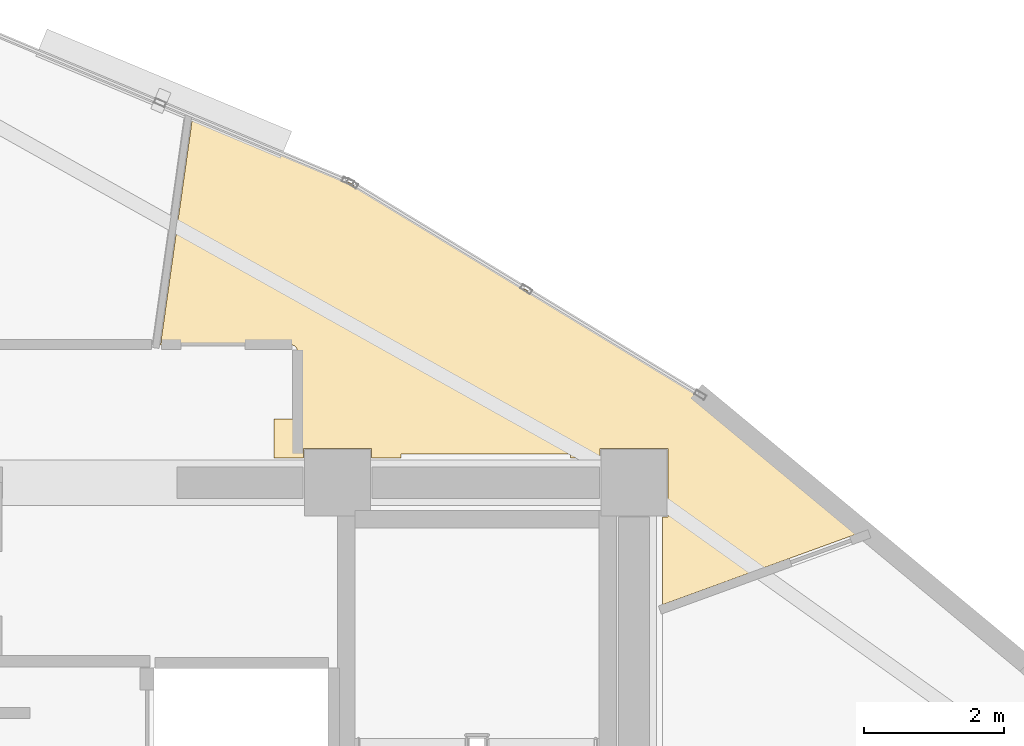
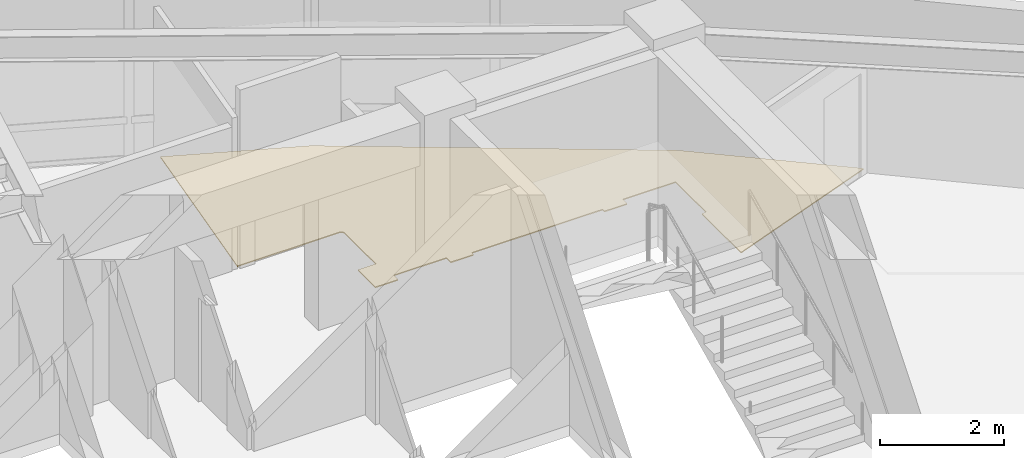
# One storey, part 16 of 16: 1 covering.
"""IFC4 building model written with IfcOpenShell, lengths in metres."""

from ifc_helpers import new_model, si_unit, direction, frame, origin, place, context, subcontext, project, spatial, polyline, outline, extrude, material, layer, layer_set, type_object, element, save


model = new_model("IFC4")

# Units and contexts
model_context = context("Model", 3, precision=1e-05, world=origin(), true_north=direction((0.0, 1.0)))
body_context = subcontext(model_context, "Body", "Model", "MODEL_VIEW")
ifc_project = project(units=[si_unit("LENGTHUNIT", "METRE"), si_unit("AREAUNIT", "SQUARE_METRE"), si_unit("VOLUMEUNIT", "CUBIC_METRE"), si_unit("PLANEANGLEUNIT", "RADIAN"), si_unit("MASSUNIT", "GRAM", prefix="KILO")], contexts=[model_context])

# Site, building, storey
site_placement = place(None, origin())
site = spatial("IfcSite", under=ifc_project, at=site_placement, CompositionType="ELEMENT")
building_placement = place(site_placement, origin())
building = spatial("IfcBuilding", under=site, at=building_placement, Name="Menara Vayukalpa", CompositionType="ELEMENT")
storey_placement = place(building_placement, frame((0.0, 0.0, 276.89990234375)))
storey = spatial("IfcBuildingStorey", under=building, at=storey_placement, Name="L70", CompositionType="ELEMENT", Elevation=276.89990234375)

# Covering
ifc_material = material(Name="Porcelain Stoneware Floor Tile", Category="masonry")
ifc_layer = layer(ifc_material, 0.02001953125)
ifc_layer_set = layer_set([ifc_layer], Name="Porcelain Stoneware Floor Tile")
covering_type = type_object("IfcCoveringType", Name="COV-FLR1", PredefinedType="FLOORING", material=ifc_layer_set)
covering_placement = place(storey_placement, origin())
element("IfcCovering", 1, at=covering_placement, inside=storey, type_object=covering_type, Name="L70 Client Conference Room Porcelain Flooring", PredefinedType="FLOORING", context=body_context, shape_type="SweptSolid", body=[
    extrude(outline(polyline([(28.570068359375, 28.69970703125), (28.569580078125, 28.706787109375), (28.568603515625, 28.713623046875), (28.56689453125, 28.72021484375), (28.564697265625, 28.726806640625), (28.561767578125, 28.73291015625), (28.55810546875, 28.73876953125), (28.553955078125, 28.744384765625), (28.549560546875, 28.74951171875), (28.54443359375, 28.75390625), (28.538818359375, 28.75830078125), (28.532958984375, 28.76171875), (28.52685546875, 28.7646484375), (28.520263671875, 28.76708984375), (28.513671875, 28.768798828125), (28.5068359375, 28.76953125), (28.499755859375, 28.77001953125), (26.62353515625, 28.77001953125), (26.62255859375, 28.77001953125), (26.62158203125, 28.770263671875), (26.62060546875, 28.7705078125), (26.61962890625, 28.770751953125), (26.618896484375, 28.771240234375), (26.617919921875, 28.771728515625), (26.6171875, 28.7724609375), (26.616455078125, 28.773193359375), (26.61572265625, 28.773681640625), (26.615234375, 28.774658203125), (26.61474609375, 28.775390625), (26.6142578125, 28.7763671875), (26.614013671875, 28.77734375), (26.61376953125, 28.7783203125), (26.613525390625, 28.779296875), (26.613525390625, 28.780517578125), (26.61376953125, 28.781494140625), (27.06982421875, 32.02685546875), (27.070068359375, 32.027587890625), (27.0703125, 32.02880859375), (27.070556640625, 32.029541015625), (27.071044921875, 32.030517578125), (27.071533203125, 32.03125), (27.072265625, 32.031982421875), (27.07275390625, 32.03271484375), (27.073486328125, 32.033203125), (27.07421875, 32.03369140625), (27.0751953125, 32.0341796875), (27.076171875, 32.03466796875), (27.076904296875, 32.034912109375), (27.077880859375, 32.03515625), (27.078857421875, 32.035400390625), (27.079833984375, 32.035400390625), (27.080810546875, 32.035400390625), (27.081787109375, 32.03515625), (27.082763671875, 32.034912109375), (27.08349609375, 32.03466796875), (29.32568359375, 31.0966796875), (29.326416015625, 31.09619140625), (29.3271484375, 31.095947265625), (34.37353515625, 28.030517578125), (34.374755859375, 28.02978515625), (36.684326171875, 26.1142578125), (36.68505859375, 26.113525390625), (36.685791015625, 26.11279296875), (36.686279296875, 26.112060546875), (36.68701171875, 26.111083984375), (36.687255859375, 26.1103515625), (36.6875, 26.109375), (36.687744140625, 26.1083984375), (36.68798828125, 26.107421875), (36.68798828125, 26.1064453125), (36.68798828125, 26.10546875), (36.687744140625, 26.1044921875), (36.6875, 26.103515625), (36.68701171875, 26.1025390625), (36.686767578125, 26.1015625), (36.68603515625, 26.100830078125), (36.685546875, 26.10009765625), (36.684814453125, 26.099365234375), (36.68408203125, 26.0986328125), (36.68310546875, 26.09814453125), (36.682373046875, 26.09765625), (36.681396484375, 26.09716796875), (33.823486328125, 25.056884765625), (33.822509765625, 25.056640625), (33.821533203125, 25.056396484375), (33.820556640625, 25.056396484375), (33.819580078125, 25.056396484375), (33.818603515625, 25.056396484375), (33.81787109375, 25.056640625), (33.81689453125, 25.056884765625), (33.81591796875, 25.05712890625), (33.815185546875, 25.0576171875), (33.814208984375, 25.05810546875), (33.8134765625, 25.05859375), (33.812744140625, 25.059326171875), (33.812255859375, 25.06005859375), (33.8115234375, 25.060791015625), (33.81103515625, 25.061767578125), (33.810791015625, 25.0625), (33.810302734375, 25.0634765625), (33.810302734375, 25.064453125), (33.81005859375, 25.065185546875), (33.81005859375, 25.06640625), (33.81005859375, 26.31005859375), (33.889892578125, 26.31005859375), (33.889892578125, 27.2900390625), (32.909912109375, 27.2900390625), (32.909912109375, 27.14990234375), (32.489990234375, 27.14990234375), (32.489990234375, 27.2099609375), (30.06005859375, 27.2099609375), (30.06005859375, 27.14990234375), (29.639892578125, 27.14990234375), (29.639892578125, 27.2900390625), (28.659912109375, 27.2900390625), (28.659912109375, 27.14990234375), (28.239990234375, 27.14990234375), (28.239990234375, 27.7099609375), (28.570068359375, 27.7099609375), (28.570068359375, 28.69970703125)])), origin(), (0.0, 0.0, 1.0), 0.02001953125),
])

save(model, "model.ifc")
